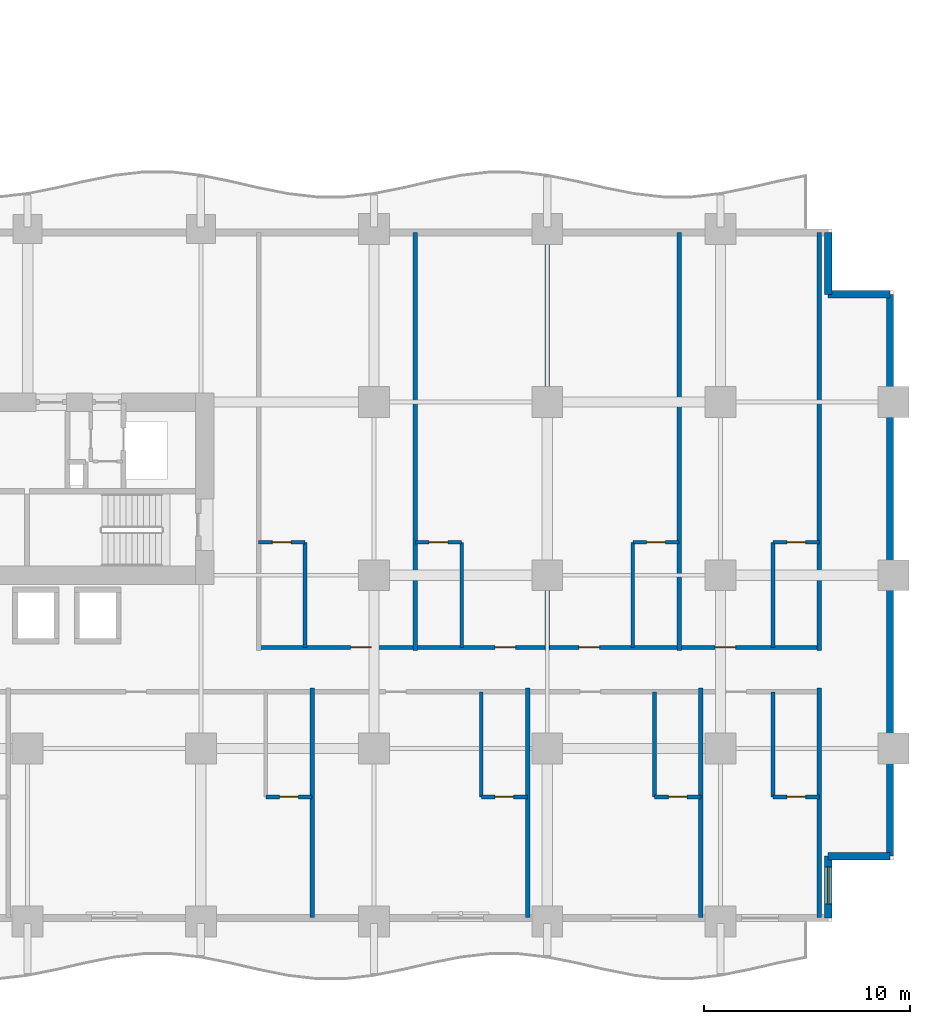
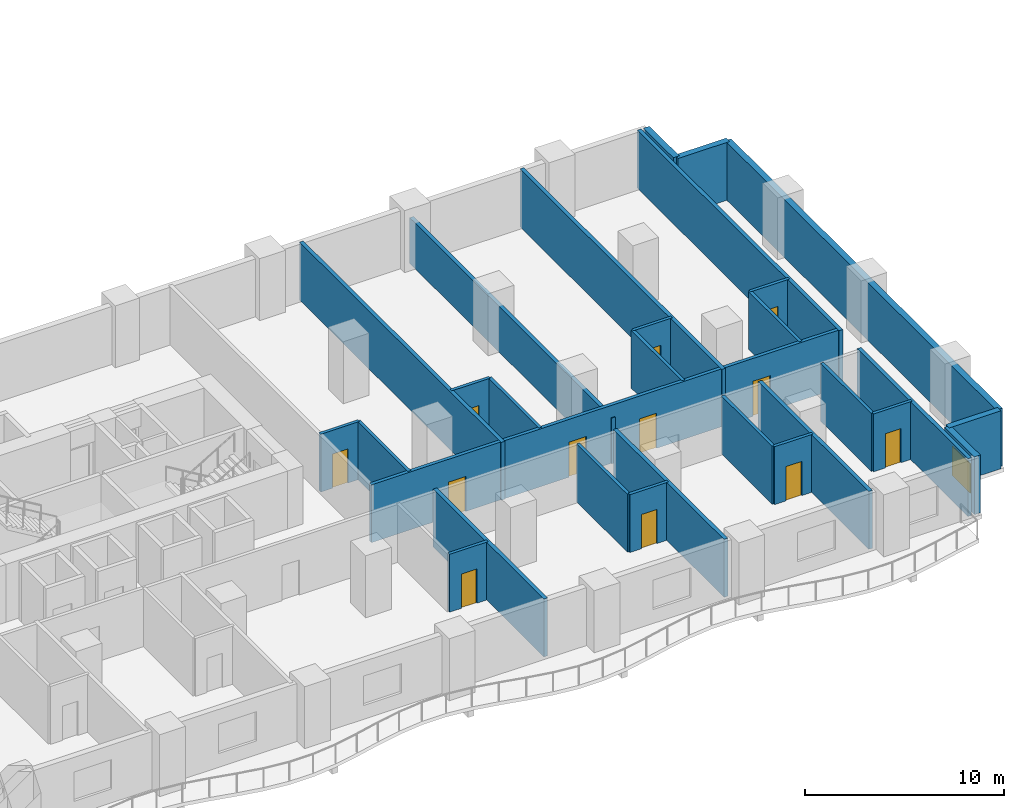
# One storey, part 13 of 20: 29 walls, 12 doors, 1 window, 13 openings.
"""IFC4 building model written with IfcOpenShell, lengths in metres."""

import ifcopenshell
import ifcopenshell.guid

model = None  # the IFC model being written
_history = None  # IfcOwnerHistory: only IFC2X3 demands one
_inside = {}  # id of a spatial element -> (the spatial element, [elements in it])
_under = {}  # id of a project, library or spatial element -> (it, [spatial elements below it])
_declared = {}  # id of a project -> (the project, [libraries it declares])
_typed = {}  # id of a type object -> (the type object, [elements of that type])
_made_of = {}  # id of a material, layer set ... -> (it, [elements and type objects made of it])


def new_model(schema):
    """Start an empty IFC model of exactly this schema.

    Asked for "IFC4X3", IfcOpenShell would pick the latest addendum, in which some entities
    have other attributes; the version numbers below select the first issue.
    IFC2X3 requires an IfcOwnerHistory on every rooted entity: one is made here for all.
    """
    global model, _history
    if schema == "IFC4X3":
        model = ifcopenshell.file(schema_version=(4, 3, 0, 0))
    else:
        model = ifcopenshell.file(schema=schema)
    _inside.clear()
    _under.clear()
    _declared.clear()
    _typed.clear()
    _made_of.clear()
    _history = None
    if model.schema == "IFC2X3":
        org = make("IfcOrganization", Name="unknown")
        user = make(
            "IfcPersonAndOrganization",
            ThePerson=make("IfcPerson", FamilyName="unknown"),
            TheOrganization=org,
        )
        app = make(
            "IfcApplication",
            ApplicationDeveloper=org,
            Version="unknown",
            ApplicationFullName="unknown",
            ApplicationIdentifier="unknown",
        )
        _history = make(
            "IfcOwnerHistory",
            OwningUser=user,
            OwningApplication=app,
            ChangeAction="ADDED",
            CreationDate=0,
        )
    return model


def make(cls, **values):
    """One entity of the class cls with the attributes given. An attribute that is None is left unset."""
    return model.create_entity(
        cls, **{name: value for name, value in values.items() if value is not None}
    )


def rooted(cls, **values):
    """An entity with a GlobalId (a new one), such as an element, a storey or a relation."""
    return make(cls, GlobalId=ifcopenshell.guid.new(), OwnerHistory=_history, **values)


def si_unit(unit_type, name, prefix=None):
    """IfcSIUnit, for example si_unit("LENGTHUNIT", "METRE", prefix="MILLI")."""
    return make("IfcSIUnit", UnitType=unit_type, Prefix=prefix, Name=name)


def assignment(units):
    """IfcUnitAssignment: the units of a project."""
    return None if units is None else make("IfcUnitAssignment", Units=units)


def point(xyz):
    """IfcCartesianPoint."""
    return None if xyz is None else make("IfcCartesianPoint", Coordinates=xyz)


def direction(xyz):
    """IfcDirection."""
    return None if xyz is None else make("IfcDirection", DirectionRatios=xyz)


def frame(location, z_axis=None, x_axis=None):
    """IfcAxis2Placement3D, a coordinate frame: its origin and axes. An axis left out is left unset."""
    return make(
        "IfcAxis2Placement3D",
        Location=point(location),
        Axis=direction(z_axis),
        RefDirection=direction(x_axis),
    )


def frame_2d(location, x_axis=None):
    """IfcAxis2Placement2D, a coordinate frame in the plane: its origin and x axis."""
    return make(
        "IfcAxis2Placement2D", Location=point(location), RefDirection=direction(x_axis)
    )


def origin():
    """The frame at (0, 0, 0) with its axes left unset."""
    return frame((0.0, 0.0, 0.0))


def place(relative_to, where):
    """IfcLocalPlacement: puts the frame where relative to a parent placement (None: the world)."""
    return make(
        "IfcLocalPlacement", PlacementRelTo=relative_to, RelativePlacement=where
    )


def context(
    kind, dimensions, precision=None, world=None, true_north=None, identifier=None
):
    """IfcGeometricRepresentationContext, for example the 3D "Model" context."""
    return make(
        "IfcGeometricRepresentationContext",
        ContextIdentifier=identifier,
        ContextType=kind,
        CoordinateSpaceDimension=dimensions,
        Precision=precision,
        WorldCoordinateSystem=world,
        TrueNorth=true_north,
    )


def subcontext(parent, identifier, kind, view, scale=None):
    """IfcGeometricRepresentationSubContext, for example "Body" below "Model"."""
    return make(
        "IfcGeometricRepresentationSubContext",
        ContextIdentifier=identifier,
        ContextType=kind,
        ParentContext=parent,
        TargetScale=scale,
        TargetView=view,
    )


def project(units=None, contexts=None):
    """IfcProject with its units and contexts."""
    return rooted(
        "IfcProject",
        Name="project",
        RepresentationContexts=contexts,
        UnitsInContext=assignment(units),
    )


def spatial(cls, under=None, at=None, **own):
    """A site, building, storey or space (cls), placed at a placement, below another one or the project."""
    s = rooted(cls, ObjectPlacement=at, **own)
    if under is not None:
        _under.setdefault(under.id(), (under, []))[1].append(s)
    return s


def profile(cls, at=None, kind="AREA", **sizes):
    """A parametric profile (cls). Its sizes go by their IFC names, for example OverallWidth=200.0."""
    return make(cls, ProfileType=kind, Position=at, **sizes)


def rectangle(**sizes):
    """IfcRectangleProfileDef."""
    return profile("IfcRectangleProfileDef", **sizes)


def extrude(swept, where, along, depth):
    """IfcExtrudedAreaSolid: the profile swept, set in the frame where, extruded along a direction by depth."""
    return make(
        "IfcExtrudedAreaSolid",
        SweptArea=swept,
        Position=where,
        ExtrudedDirection=direction(along),
        Depth=depth,
    )


def shape(context_of_items, identifier, shape_type, items):
    """IfcShapeRepresentation: the items that make up one representation, for example the "Body"."""
    return make(
        "IfcShapeRepresentation",
        ContextOfItems=context_of_items,
        RepresentationIdentifier=identifier,
        RepresentationType=shape_type,
        Items=items,
    )


def material(Name=None, Category=None):
    """IfcMaterial."""
    return make("IfcMaterial", Name=Name, Category=Category)


def layer(
    of_material, thickness, ventilated=None, Name=None, Category=None, Priority=None
):
    """IfcMaterialLayer: one layer of a wall or slab, of a material (None: an air gap)."""
    return make(
        "IfcMaterialLayer",
        Material=of_material,
        LayerThickness=thickness,
        IsVentilated=ventilated,
        Name=Name,
        Category=Category,
        Priority=Priority,
    )


def layer_set(layers, Name=None):
    """IfcMaterialLayerSet."""
    return make("IfcMaterialLayerSet", MaterialLayers=layers, LayerSetName=Name)


def made_of(thing, what):
    """Note that an element or type object is made of a material, layer set ...; save() writes the relation."""
    if what is not None:
        _made_of.setdefault(what.id(), (what, []))[1].append(thing)
    return thing


def type_object(cls, material=None, **own):
    """A type object (cls), such as IfcWallType, which elements share."""
    return made_of(rooted(cls, **own), material)


def element(
    cls,
    number,
    at=None,
    inside=None,
    cuts=None,
    type_object=None,
    material=None,
    context=None,
    identifier="Body",
    shape_type=None,
    held_by="IfcProductDefinitionShape",
    body=None,
    shapes=None,
    **own,
):
    """One element of the class cls, such as IfcWall. Its Tag is "e" and its number.

    at: its placement. inside: the storey or other place that contains it. cuts: it is an
    opening in that element (IfcRelVoidsElement). A single representation is given by context,
    identifier, shape_type and body (its items); several are given by shapes. held_by: the class
    of the entity that holds the representations. save() writes the other relations.
    """
    e = rooted(cls, Tag="e%d" % number, ObjectPlacement=at, **own)
    if body is not None:
        shapes = [shape(context, identifier, shape_type, body)]
    if shapes is not None:
        e.Representation = make(held_by, Representations=shapes)
    if inside is not None:
        _inside.setdefault(inside.id(), (inside, []))[1].append(e)
    if cuts is not None:
        rooted(
            "IfcRelVoidsElement", RelatingBuildingElement=cuts, RelatedOpeningElement=e
        )
    if type_object is not None:
        _typed.setdefault(type_object.id(), (type_object, []))[1].append(e)
    return made_of(e, material)


def fill(opening, filler):
    """IfcRelFillsElement: the door or window that sits in an opening."""
    return rooted(
        "IfcRelFillsElement",
        RelatingOpeningElement=opening,
        RelatedBuildingElement=filler,
    )


def aggregate(whole, parts):
    """IfcRelAggregates: a whole, such as a stair, and the parts it consists of."""
    return rooted("IfcRelAggregates", RelatingObject=whole, RelatedObjects=parts)


def save(model, path):
    """Write the relations noted so far, then the file.

    IfcRelAggregates (storeys below a building ...), IfcRelContainedInSpatialStructure (elements
    in a storey), IfcRelDefinesByType, IfcRelAssociatesMaterial and IfcRelDeclares: one each for
    every whole, place, type object, material and project.
    """
    for whole, parts in _under.values():
        aggregate(whole, parts)
    for where, things in _inside.values():
        rooted(
            "IfcRelContainedInSpatialStructure",
            RelatedElements=things,
            RelatingStructure=where,
        )
    for kind, things in _typed.values():
        rooted("IfcRelDefinesByType", RelatedObjects=things, RelatingType=kind)
    for what, things in _made_of.values():
        rooted("IfcRelAssociatesMaterial", RelatedObjects=things, RelatingMaterial=what)
    for by, libraries in _declared.values():
        rooted("IfcRelDeclares", RelatingContext=by, RelatedDefinitions=libraries)
    model.write(path)


model = new_model("IFC4")

# Units and contexts
model_context = context("Model", 3, precision=1e-05, world=origin(), true_north=direction((0.0, 1.0)))
body_context = subcontext(model_context, "Body", "Model", "MODEL_VIEW")
ifc_project = project(units=[si_unit("LENGTHUNIT", "METRE"), si_unit("AREAUNIT", "SQUARE_METRE"), si_unit("VOLUMEUNIT", "CUBIC_METRE"), si_unit("PLANEANGLEUNIT", "RADIAN"), si_unit("MASSUNIT", "GRAM", prefix="KILO")], contexts=[model_context])

# Site, building, storey
site_placement = place(None, origin())
site = spatial("IfcSite", under=ifc_project, at=site_placement, CompositionType="ELEMENT")
building_placement = place(site_placement, origin())
building = spatial("IfcBuilding", under=site, at=building_placement, Name="Koriwani Terraces Tower", CompositionType="ELEMENT")
storey_placement = place(building_placement, frame((0.0, 0.0, 35.800048828125)))
storey = spatial("IfcBuildingStorey", under=building, at=storey_placement, Name="L07", CompositionType="ELEMENT", Elevation=35.800048828125)

# Wall, openings, doors
ifc_material_1 = material(Name="Autoclaved Cellular Concrete Blockwork", Category="masonry")
ifc_layer_1 = layer(ifc_material_1, 0.199951171875, Name="Autoclaved Cellular Concrete Blockwork")
ifc_layer_set_1 = layer_set([ifc_layer_1], Name="Autoclaved Cellular Concrete Blockwork")
wall_type_1 = type_object("IfcWallType", Name="WALL_CORRIDOR_200", PredefinedType="PARTITIONING", material=ifc_layer_set_1)
wall_1_placement = place(storey_placement, frame((61.60009765625, 13.300048828125, 0.0), z_axis=(0.0, 0.0, 1.0), x_axis=(1.0, 0.0, 0.0)))
wall_1 = element("IfcWall", 1, at=wall_1_placement, inside=storey, type_object=wall_type_1, Name="L07 Interior Wall WCOR-L07-SE-0", PredefinedType="PARTITIONING", context=body_context, shape_type="SweptSolid", body=[
    extrude(rectangle(XDim=27.199951171875, YDim=0.199951171875, at=frame_2d((13.60009765625, 0.0))), origin(), (0.0, 0.0, 1.0), 3.550048828125),
])
opening_1_placement = place(wall_1_placement, frame((4.465087890625, 0.0, 0.0)))
opening_1 = element("IfcOpeningElement", 2, at=opening_1_placement, cuts=wall_1, Name="Opening D-05", PredefinedType="OPENING", context=body_context, shape_type="SweptSolid", body=[
    extrude(rectangle(XDim=1.0, YDim=2.14990234375, at=frame_2d((0.5, 1.074951171875))), frame((0.0, 0.10986328125, 0.0), z_axis=(0.0, -1.0, 0.0), x_axis=(1.0, 0.0, 0.0)), (0.0, 0.0, 1.0), 0.219970703125),
])
opening_2_placement = place(wall_1_placement, frame((11.465087890625, 0.0, 0.0)))
opening_2 = element("IfcOpeningElement", 3, at=opening_2_placement, cuts=wall_1, Name="Opening D-05", PredefinedType="OPENING", context=body_context, shape_type="SweptSolid", body=[
    extrude(rectangle(XDim=1.0, YDim=2.14990234375, at=frame_2d((0.5, 1.074951171875))), frame((0.0, 0.10986328125, 0.0), z_axis=(0.0, -1.0, 0.0), x_axis=(1.0, 0.0, 0.0)), (0.0, 0.0, 1.0), 0.219970703125),
])
opening_3_placement = place(wall_1_placement, frame((15.534912109375, 0.0, 0.0)))
opening_3 = element("IfcOpeningElement", 4, at=opening_3_placement, cuts=wall_1, Name="Opening D-05", PredefinedType="OPENING", context=body_context, shape_type="SweptSolid", body=[
    extrude(rectangle(XDim=1.0, YDim=2.14990234375, at=frame_2d((0.5, 1.074951171875))), frame((0.0, 0.10986328125, 0.0), z_axis=(0.0, -1.0, 0.0), x_axis=(1.0, 0.0, 0.0)), (0.0, 0.0, 1.0), 0.219970703125),
])
opening_4_placement = place(wall_1_placement, frame((22.135009765625, 0.0, 0.0)))
opening_4 = element("IfcOpeningElement", 5, at=opening_4_placement, cuts=wall_1, Name="Opening D-05", PredefinedType="OPENING", context=body_context, shape_type="SweptSolid", body=[
    extrude(rectangle(XDim=1.0, YDim=2.14990234375, at=frame_2d((0.5, 1.074951171875))), frame((0.0, 0.10986328125, 0.0), z_axis=(0.0, -1.0, 0.0), x_axis=(1.0, 0.0, 0.0)), (0.0, 0.0, 1.0), 0.219970703125),
])
ifc_material_2 = material(Name="Architectural Oak Fire Door", Category="wood")
door_type_1 = type_object("IfcDoorType", Name="DOOR_SUITE_ENTRY_1000X2150", OperationType="NOTDEFINED", PredefinedType="DOOR", material=ifc_material_2)
door_1_placement = place(opening_1_placement, origin())
door_1 = element("IfcDoor", 6, at=door_1_placement, inside=storey, type_object=door_type_1, Name="Luxury Hotel Suite 07SE1 Entrance Door", OperationType="SINGLE_SWING_LEFT", OverallHeight=2.14990234375, OverallWidth=1.0, PredefinedType="DOOR", context=body_context, shape_type="SweptSolid", body=[
    extrude(rectangle(XDim=1.0, YDim=2.14990234375, at=frame_2d((0.5, 1.074951171875))), frame((0.0, 0.02490234375, 0.0), z_axis=(0.0, -1.0, 0.0), x_axis=(1.0, 0.0, 0.0)), (0.0, 0.0, 1.0), 0.050048828125),
])
fill(opening_1, door_1)
door_2_placement = place(opening_2_placement, origin())
door_2 = element("IfcDoor", 7, at=door_2_placement, inside=storey, type_object=door_type_1, Name="Luxury Hotel Suite 07SE2 Entrance Door", OperationType="SINGLE_SWING_LEFT", OverallHeight=2.14990234375, OverallWidth=1.0, PredefinedType="DOOR", context=body_context, shape_type="SweptSolid", body=[
    extrude(rectangle(XDim=1.0, YDim=2.14990234375, at=frame_2d((0.5, 1.074951171875))), frame((0.0, 0.02490234375, 0.0), z_axis=(0.0, -1.0, 0.0), x_axis=(1.0, 0.0, 0.0)), (0.0, 0.0, 1.0), 0.050048828125),
])
fill(opening_2, door_2)
door_3_placement = place(opening_3_placement, origin())
door_3 = element("IfcDoor", 8, at=door_3_placement, inside=storey, type_object=door_type_1, Name="Luxury Hotel Suite 07SE3 Entrance Door", OperationType="SINGLE_SWING_LEFT", OverallHeight=2.14990234375, OverallWidth=1.0, PredefinedType="DOOR", context=body_context, shape_type="SweptSolid", body=[
    extrude(rectangle(XDim=1.0, YDim=2.14990234375, at=frame_2d((0.5, 1.074951171875))), frame((0.0, 0.02490234375, 0.0), z_axis=(0.0, -1.0, 0.0), x_axis=(1.0, 0.0, 0.0)), (0.0, 0.0, 1.0), 0.050048828125),
])
fill(opening_3, door_3)
door_4_placement = place(opening_4_placement, origin())
door_4 = element("IfcDoor", 9, at=door_4_placement, inside=storey, type_object=door_type_1, Name="Luxury Hotel Suite 07SE4 Entrance Door", OperationType="SINGLE_SWING_LEFT", OverallHeight=2.14990234375, OverallWidth=1.0, PredefinedType="DOOR", context=body_context, shape_type="SweptSolid", body=[
    extrude(rectangle(XDim=1.0, YDim=2.14990234375, at=frame_2d((0.5, 1.074951171875))), frame((0.0, 0.02490234375, 0.0), z_axis=(0.0, -1.0, 0.0), x_axis=(1.0, 0.0, 0.0)), (0.0, 0.0, 1.0), 0.050048828125),
])
fill(opening_4, door_4)

# Walls
ifc_layer_2 = layer(ifc_material_1, 0.219970703125, Name="Autoclaved Cellular Concrete Blockwork")
ifc_layer_set_2 = layer_set([ifc_layer_2], Name="Autoclaved Cellular Concrete Blockwork")
wall_type_2 = type_object("IfcWallType", Name="WALL_DEMISING_220", PredefinedType="PARTITIONING", material=ifc_layer_set_2)
for number, where, z_axis, x_axis, name in (
    (10, (64.199951171875, 0.199951171875, 0.0), (0.0, 0.0, 1.0), (0.0, 1.0, 0.0), "L07 Interior Wall WDEM-L07-SW-5"),
    (11, (74.64990234375, 0.199951171875, 0.0), (0.0, 0.0, 1.0), (0.0, 1.0, 0.0), "L07 Interior Wall WDEM-L07-SW-6"),
    (12, (83.050048828125, 0.199951171875, 0.0), (0.0, 0.0, 1.0), (0.0, 1.0, 0.0), "L07 Interior Wall WDEM-L07-SW-7"),
    (13, (88.800048828125, 0.199951171875, 0.0), (0.0, 0.0, 1.0), (0.0, 1.0, 0.0), "L07 Interior Wall WDEME-L07-SW"),
):
    element("IfcWall", number, at=place(storey_placement, frame(where, z_axis=z_axis, x_axis=x_axis)), inside=storey, type_object=wall_type_2, Name=name, PredefinedType="PARTITIONING", context=body_context, shape_type="SweptSolid", body=[
        extrude(rectangle(XDim=11.130126953125, YDim=0.219970703125, at=frame_2d((5.56494140625, 0.0))), origin(), (0.0, 0.0, 1.0), 3.550048828125),
    ])
wall_2_placement = place(storey_placement, frame((69.199951171875, 13.14990234375, 0.0), z_axis=(0.0, 0.0, 1.0), x_axis=(0.0, 1.0, 0.0)))
element("IfcWall", 14, at=wall_2_placement, inside=storey, type_object=wall_type_2, Name="L07 Interior Wall WDEM-L07-SE-1", PredefinedType="PARTITIONING", context=body_context, shape_type="SweptSolid", body=[
    extrude(rectangle(XDim=20.280029296875, YDim=0.219970703125, at=frame_2d((10.14013671875, 0.0))), origin(), (0.0, 0.0, 1.0), 3.550048828125),
])
wall_3_placement = place(storey_placement, frame((75.60009765625, 13.14990234375, 0.0), z_axis=(0.0, 0.0, 1.0), x_axis=(0.0, 1.0, 0.0)))
element("IfcWall", 15, at=wall_3_placement, inside=storey, type_object=wall_type_2, Name="L07 Interior Wall WDEM-L07-SE-2", PredefinedType="PARTITIONING", context=body_context, shape_type="SweptSolid", body=[
    extrude(rectangle(XDim=20.280029296875, YDim=0.219970703125, at=frame_2d((10.14013671875, 0.0))), origin(), (0.0, 0.0, 1.0), 2.800048828125),
])
for number, where, z_axis, x_axis, name in (
    (16, (82.0, 13.14990234375, 0.0), (0.0, 0.0, 1.0), (0.0, 1.0, 0.0), "L07 Interior Wall WDEM-L07-SE-3"),
    (17, (88.800048828125, 13.14990234375, 0.0), (0.0, 0.0, 1.0), (0.0, 1.0, 0.0), "L07 Interior Wall WDEME-L07-SE"),
):
    element("IfcWall", number, at=place(storey_placement, frame(where, z_axis=z_axis, x_axis=x_axis)), inside=storey, type_object=wall_type_2, Name=name, PredefinedType="PARTITIONING", context=body_context, shape_type="SweptSolid", body=[
        extrude(rectangle(XDim=20.280029296875, YDim=0.219970703125, at=frame_2d((10.14013671875, 0.0))), origin(), (0.0, 0.0, 1.0), 3.550048828125),
    ])
ifc_material_3 = material(Name="Concrete C50/60", Category="concrete")
ifc_layer_3 = layer(ifc_material_3, 0.35009765625, Name="Concrete C50/60")
ifc_layer_set_3 = layer_set([ifc_layer_3], Name="Concrete C50/60")
wall_type_3 = type_object("IfcWallType", Name="WALL_EXT_BRUTALIST_350", PredefinedType="STANDARD", material=ifc_layer_set_3)
for number, where, z_axis, x_axis, name in (
    (18, (89.22509765625, 33.425048828125, 0.0), (0.0, 0.0, 1.0), (0.0, -1.0, 0.0), "L07 Fair-Faced Brutalist Exterior Wall (N10)"),
    (19, (89.22509765625, 30.425048828125, 0.0), (0.0, 0.0, 1.0), (1.0, 0.0, 0.0), "L07 Fair-Faced Brutalist Exterior Wall (N11)"),
):
    element("IfcWall", number, at=place(storey_placement, frame(where, z_axis=z_axis, x_axis=x_axis)), inside=storey, type_object=wall_type_3, Name=name, PredefinedType="STANDARD", context=body_context, shape_type="SweptSolid", body=[
        extrude(rectangle(XDim=3.0, YDim=0.35009765625, at=frame_2d((1.5, 0.0))), origin(), (0.0, 0.0, 1.0), 3.550048828125),
    ])
wall_4_placement = place(storey_placement, frame((92.22509765625, 30.425048828125, 0.0), z_axis=(0.0, 0.0, 1.0), x_axis=(0.0, -1.0, 0.0)))
element("IfcWall", 20, at=wall_4_placement, inside=storey, type_object=wall_type_3, Name="L07 Fair-Faced Brutalist Exterior Wall (E_TIP)", PredefinedType="STANDARD", context=body_context, shape_type="SweptSolid", body=[
    extrude(rectangle(XDim=27.25, YDim=0.35009765625, at=frame_2d((13.625, 0.0))), origin(), (0.0, 0.0, 1.0), 3.550048828125),
])
wall_5_placement = place(storey_placement, frame((92.22509765625, 3.175048828125, 0.0), z_axis=(0.0, 0.0, 1.0), x_axis=(-1.0, 0.0, 0.0)))
element("IfcWall", 21, at=wall_5_placement, inside=storey, type_object=wall_type_3, Name="L07 Fair-Faced Brutalist Exterior Wall (N13)", PredefinedType="STANDARD", context=body_context, shape_type="SweptSolid", body=[
    extrude(rectangle(XDim=3.0, YDim=0.35009765625, at=frame_2d((1.5, 0.0))), origin(), (0.0, 0.0, 1.0), 3.550048828125),
])

# Wall, opening, window
wall_6_placement = place(storey_placement, frame((89.22509765625, 3.175048828125, 0.0), z_axis=(0.0, 0.0, 1.0), x_axis=(0.0, -1.0, 0.0)))
wall_6 = element("IfcWall", 22, at=wall_6_placement, inside=storey, type_object=wall_type_3, Name="L07 Fair-Faced Brutalist Exterior Wall (N14)", PredefinedType="STANDARD", context=body_context, shape_type="SweptSolid", body=[
    extrude(rectangle(XDim=3.0, YDim=0.35009765625, at=frame_2d((1.5, 0.0))), origin(), (0.0, 0.0, 1.0), 3.550048828125),
])
opening_5_placement = place(wall_6_placement, frame((0.5224609375, 0.0, 0.85009765625)))
opening_5 = element("IfcOpeningElement", 23, at=opening_5_placement, cuts=wall_6, Name="Opening W-04", PredefinedType="OPENING", context=body_context, shape_type="SweptSolid", body=[
    extrude(rectangle(XDim=1.800048828125, YDim=1.800048828125, at=frame_2d((0.89990234375, 0.89990234375))), frame((0.0, 0.18505859375, 0.0), z_axis=(0.0, -1.0, 0.0), x_axis=(1.0, 0.0, 0.0)), (0.0, 0.0, 1.0), 0.3701171875),
])
ifc_material_4 = material(Name="Tempered Laminated Low-E Glass", Category="glass")
window_type = type_object("IfcWindowType", Name="WIN_RES_BED_1800X1800", PartitioningType="DOUBLE_PANEL_VERTICAL", PredefinedType="WINDOW", material=ifc_material_4)
window_placement = place(opening_5_placement, origin())
window = element("IfcWindow", 24, at=window_placement, inside=storey, type_object=window_type, Name="L07 Exterior Window (N14-R71)", OverallHeight=1.800048828125, OverallWidth=1.800048828125, PartitioningType="SINGLE_PANEL", PredefinedType="WINDOW", context=body_context, shape_type="SweptSolid", body=[
    extrude(rectangle(XDim=1.800048828125, YDim=1.800048828125, at=frame_2d((0.89990234375, 0.89990234375))), frame((0.0, 0.030029296875, 0.0), z_axis=(0.0, -1.0, 0.0), x_axis=(1.0, 0.0, 0.0)), (0.0, 0.0, 1.0), 0.06005859375),
])
fill(opening_5, window)

# Wall, opening, door
ifc_material_5 = material(Name="Fire-Rated Acoustic Gypsum Partition", Category="masonry")
ifc_layer_4 = layer(ifc_material_5, 0.179931640625, Name="Fire-Rated Acoustic Gypsum Partition")
ifc_layer_set_4 = layer_set([ifc_layer_4], Name="Fire-Rated Acoustic Gypsum Partition")
wall_type_4 = type_object("IfcWallType", Name="WALL_PLUMBING_180", PredefinedType="PLUMBINGWALL", material=ifc_layer_set_4)
wall_7_placement = place(storey_placement, frame((61.949951171875, 6.050048828125, 0.0), z_axis=(0.0, 0.0, 1.0), x_axis=(1.0, 0.0, 0.0)))
wall_7 = element("IfcWall", 25, at=wall_7_placement, inside=storey, type_object=wall_type_4, Name="L07 Interior Wall WBTH1-L07-SW-4", PredefinedType="PLUMBINGWALL", context=body_context, shape_type="SweptSolid", body=[
    extrude(rectangle(XDim=2.25, YDim=0.179931640625, at=frame_2d((1.125, 0.0))), origin(), (0.0, 0.0, 1.0), 3.550048828125),
])
opening_6_placement = place(wall_7_placement, frame((0.675048828125, 0.0, 0.0)))
opening_6 = element("IfcOpeningElement", 26, at=opening_6_placement, cuts=wall_7, Name="Opening D-07", PredefinedType="OPENING", context=body_context, shape_type="SweptSolid", body=[
    extrude(rectangle(XDim=0.89990234375, YDim=2.10009765625, at=frame_2d((0.449951171875, 1.050048828125))), frame((0.0, 0.10009765625, 0.0), z_axis=(0.0, -1.0, 0.0), x_axis=(1.0, 0.0, 0.0)), (0.0, 0.0, 1.0), 0.199951171875),
])
door_type_2 = type_object("IfcDoorType", Name="DOOR_BATH_INT_900X2100", OperationType="NOTDEFINED", PredefinedType="DOOR", material=ifc_material_2)
door_5_placement = place(opening_6_placement, origin())
door_5 = element("IfcDoor", 27, at=door_5_placement, inside=storey, type_object=door_type_2, Name="En-Suite Bathroom 07SW5 Door", OperationType="SINGLE_SWING_RIGHT", OverallHeight=2.10009765625, OverallWidth=0.89990234375, PredefinedType="DOOR", context=body_context, shape_type="SweptSolid", body=[
    extrude(rectangle(XDim=0.89990234375, YDim=2.10009765625, at=frame_2d((0.449951171875, 1.050048828125))), frame((0.0, 0.02490234375, 0.0), z_axis=(0.0, -1.0, 0.0), x_axis=(1.0, 0.0, 0.0)), (0.0, 0.0, 1.0), 0.050048828125),
])
fill(opening_6, door_5)

wall_8_placement = place(storey_placement, frame((72.39990234375, 6.050048828125, 0.0), z_axis=(0.0, 0.0, 1.0), x_axis=(1.0, 0.0, 0.0)))
wall_8 = element("IfcWall", 28, at=wall_8_placement, inside=storey, type_object=wall_type_4, Name="L07 Interior Wall WBTH1-L07-SW-5", PredefinedType="PLUMBINGWALL", context=body_context, shape_type="SweptSolid", body=[
    extrude(rectangle(XDim=2.25, YDim=0.179931640625, at=frame_2d((1.125, 0.0))), origin(), (0.0, 0.0, 1.0), 3.550048828125),
])
opening_7_placement = place(wall_8_placement, frame((0.675048828125, 0.0, 0.0)))
opening_7 = element("IfcOpeningElement", 29, at=opening_7_placement, cuts=wall_8, Name="Opening D-07", PredefinedType="OPENING", context=body_context, shape_type="SweptSolid", body=[
    extrude(rectangle(XDim=0.89990234375, YDim=2.10009765625, at=frame_2d((0.449951171875, 1.050048828125))), frame((0.0, 0.10009765625, 0.0), z_axis=(0.0, -1.0, 0.0), x_axis=(1.0, 0.0, 0.0)), (0.0, 0.0, 1.0), 0.199951171875),
])
door_6_placement = place(opening_7_placement, origin())
door_6 = element("IfcDoor", 30, at=door_6_placement, inside=storey, type_object=door_type_2, Name="En-Suite Bathroom 07SW6 Door", OperationType="SINGLE_SWING_RIGHT", OverallHeight=2.10009765625, OverallWidth=0.89990234375, PredefinedType="DOOR", context=body_context, shape_type="SweptSolid", body=[
    extrude(rectangle(XDim=0.89990234375, YDim=2.10009765625, at=frame_2d((0.449951171875, 1.050048828125))), frame((0.0, 0.02490234375, 0.0), z_axis=(0.0, -1.0, 0.0), x_axis=(1.0, 0.0, 0.0)), (0.0, 0.0, 1.0), 0.050048828125),
])
fill(opening_7, door_6)

# Wall
wall_9_placement = place(storey_placement, frame((72.39990234375, 6.050048828125, 0.0), z_axis=(0.0, 0.0, 1.0), x_axis=(0.0, 1.0, 0.0)))
element("IfcWall", 31, at=wall_9_placement, inside=storey, type_object=wall_type_4, Name="L07 Interior Wall WBTH2-L07-SW-5", PredefinedType="PLUMBINGWALL", context=body_context, shape_type="SweptSolid", body=[
    extrude(rectangle(XDim=5.099853515625, YDim=0.179931640625, at=frame_2d((2.5498046875, 0.0))), origin(), (0.0, 0.0, 1.0), 3.550048828125),
])

# Wall, opening, door
wall_10_placement = place(storey_placement, frame((80.800048828125, 6.050048828125, 0.0), z_axis=(0.0, 0.0, 1.0), x_axis=(1.0, 0.0, 0.0)))
wall_10 = element("IfcWall", 32, at=wall_10_placement, inside=storey, type_object=wall_type_4, Name="L07 Interior Wall WBTH1-L07-SW-6", PredefinedType="PLUMBINGWALL", context=body_context, shape_type="SweptSolid", body=[
    extrude(rectangle(XDim=2.25, YDim=0.179931640625, at=frame_2d((1.125, 0.0))), origin(), (0.0, 0.0, 1.0), 3.550048828125),
])
opening_8_placement = place(wall_10_placement, frame((0.675048828125, 0.0, 0.0)))
opening_8 = element("IfcOpeningElement", 33, at=opening_8_placement, cuts=wall_10, Name="Opening D-07", PredefinedType="OPENING", context=body_context, shape_type="SweptSolid", body=[
    extrude(rectangle(XDim=0.89990234375, YDim=2.10009765625, at=frame_2d((0.449951171875, 1.050048828125))), frame((0.0, 0.10009765625, 0.0), z_axis=(0.0, -1.0, 0.0), x_axis=(1.0, 0.0, 0.0)), (0.0, 0.0, 1.0), 0.199951171875),
])
door_7_placement = place(opening_8_placement, origin())
door_7 = element("IfcDoor", 34, at=door_7_placement, inside=storey, type_object=door_type_2, Name="En-Suite Bathroom 07SW7 Door", OperationType="SINGLE_SWING_RIGHT", OverallHeight=2.10009765625, OverallWidth=0.89990234375, PredefinedType="DOOR", context=body_context, shape_type="SweptSolid", body=[
    extrude(rectangle(XDim=0.89990234375, YDim=2.10009765625, at=frame_2d((0.449951171875, 1.050048828125))), frame((0.0, 0.02490234375, 0.0), z_axis=(0.0, -1.0, 0.0), x_axis=(1.0, 0.0, 0.0)), (0.0, 0.0, 1.0), 0.050048828125),
])
fill(opening_8, door_7)

# Wall
wall_11_placement = place(storey_placement, frame((80.800048828125, 6.050048828125, 0.0), z_axis=(0.0, 0.0, 1.0), x_axis=(0.0, 1.0, 0.0)))
element("IfcWall", 35, at=wall_11_placement, inside=storey, type_object=wall_type_4, Name="L07 Interior Wall WBTH2-L07-SW-6", PredefinedType="PLUMBINGWALL", context=body_context, shape_type="SweptSolid", body=[
    extrude(rectangle(XDim=5.099853515625, YDim=0.179931640625, at=frame_2d((2.5498046875, 0.0))), origin(), (0.0, 0.0, 1.0), 3.550048828125),
])

# Wall, opening, door
wall_12_placement = place(storey_placement, frame((86.550048828125, 6.050048828125, 0.0), z_axis=(0.0, 0.0, 1.0), x_axis=(1.0, 0.0, 0.0)))
wall_12 = element("IfcWall", 36, at=wall_12_placement, inside=storey, type_object=wall_type_4, Name="L07 Interior Wall WBTH1-L07-SW-7", PredefinedType="PLUMBINGWALL", context=body_context, shape_type="SweptSolid", body=[
    extrude(rectangle(XDim=2.25, YDim=0.179931640625, at=frame_2d((1.125, 0.0))), origin(), (0.0, 0.0, 1.0), 3.550048828125),
])
opening_9_placement = place(wall_12_placement, frame((0.675048828125, 0.0, 0.0)))
opening_9 = element("IfcOpeningElement", 37, at=opening_9_placement, cuts=wall_12, Name="Opening D-07", PredefinedType="OPENING", context=body_context, shape_type="SweptSolid", body=[
    extrude(rectangle(XDim=0.89990234375, YDim=2.10009765625, at=frame_2d((0.449951171875, 1.050048828125))), frame((0.0, 0.10009765625, 0.0), z_axis=(0.0, -1.0, 0.0), x_axis=(1.0, 0.0, 0.0)), (0.0, 0.0, 1.0), 0.199951171875),
])
door_8_placement = place(opening_9_placement, origin())
door_8 = element("IfcDoor", 38, at=door_8_placement, inside=storey, type_object=door_type_2, Name="En-Suite Bathroom 07SW8 Door", OperationType="SINGLE_SWING_RIGHT", OverallHeight=2.10009765625, OverallWidth=0.89990234375, PredefinedType="DOOR", context=body_context, shape_type="SweptSolid", body=[
    extrude(rectangle(XDim=0.89990234375, YDim=2.10009765625, at=frame_2d((0.449951171875, 1.050048828125))), frame((0.0, 0.02490234375, 0.0), z_axis=(0.0, -1.0, 0.0), x_axis=(1.0, 0.0, 0.0)), (0.0, 0.0, 1.0), 0.050048828125),
])
fill(opening_9, door_8)

# Wall
wall_13_placement = place(storey_placement, frame((86.550048828125, 6.050048828125, 0.0), z_axis=(0.0, 0.0, 1.0), x_axis=(0.0, 1.0, 0.0)))
element("IfcWall", 39, at=wall_13_placement, inside=storey, type_object=wall_type_4, Name="L07 Interior Wall WBTH2-L07-SW-7", PredefinedType="PLUMBINGWALL", context=body_context, shape_type="SweptSolid", body=[
    extrude(rectangle(XDim=5.099853515625, YDim=0.179931640625, at=frame_2d((2.5498046875, 0.0))), origin(), (0.0, 0.0, 1.0), 3.550048828125),
])

# Wall, opening, door
wall_14_placement = place(storey_placement, frame((61.60009765625, 18.39990234375, 0.0), z_axis=(0.0, 0.0, 1.0), x_axis=(1.0, 0.0, 0.0)))
wall_14 = element("IfcWall", 40, at=wall_14_placement, inside=storey, type_object=wall_type_4, Name="L07 Interior Wall WBTH1-L07-SE-0", PredefinedType="PLUMBINGWALL", context=body_context, shape_type="SweptSolid", body=[
    extrude(rectangle(XDim=2.25, YDim=0.179931640625, at=frame_2d((1.125, 0.0))), origin(), (0.0, 0.0, 1.0), 3.550048828125),
])
opening_10_placement = place(wall_14_placement, frame((0.675048828125, 0.0, 0.0)))
opening_10 = element("IfcOpeningElement", 41, at=opening_10_placement, cuts=wall_14, Name="Opening D-07", PredefinedType="OPENING", context=body_context, shape_type="SweptSolid", body=[
    extrude(rectangle(XDim=0.89990234375, YDim=2.10009765625, at=frame_2d((0.449951171875, 1.050048828125))), frame((0.0, 0.10009765625, 0.0), z_axis=(0.0, -1.0, 0.0), x_axis=(1.0, 0.0, 0.0)), (0.0, 0.0, 1.0), 0.199951171875),
])
door_9_placement = place(opening_10_placement, origin())
door_9 = element("IfcDoor", 42, at=door_9_placement, inside=storey, type_object=door_type_2, Name="En-Suite Bathroom 07SE1 Door", OperationType="SINGLE_SWING_RIGHT", OverallHeight=2.10009765625, OverallWidth=0.89990234375, PredefinedType="DOOR", context=body_context, shape_type="SweptSolid", body=[
    extrude(rectangle(XDim=0.89990234375, YDim=2.10009765625, at=frame_2d((0.449951171875, 1.050048828125))), frame((0.0, 0.02490234375, 0.0), z_axis=(0.0, -1.0, 0.0), x_axis=(1.0, 0.0, 0.0)), (0.0, 0.0, 1.0), 0.050048828125),
])
fill(opening_10, door_9)

# Wall
wall_15_placement = place(storey_placement, frame((63.85009765625, 13.300048828125, 0.0), z_axis=(0.0, 0.0, 1.0), x_axis=(0.0, 1.0, 0.0)))
element("IfcWall", 43, at=wall_15_placement, inside=storey, type_object=wall_type_4, Name="L07 Interior Wall WBTH2-L07-SE-0", PredefinedType="PLUMBINGWALL", context=body_context, shape_type="SweptSolid", body=[
    extrude(rectangle(XDim=5.099853515625, YDim=0.179931640625, at=frame_2d((2.5498046875, 0.0))), origin(), (0.0, 0.0, 1.0), 3.550048828125),
])

# Wall, opening, door
wall_16_placement = place(storey_placement, frame((69.199951171875, 18.39990234375, 0.0), z_axis=(0.0, 0.0, 1.0), x_axis=(1.0, 0.0, 0.0)))
wall_16 = element("IfcWall", 44, at=wall_16_placement, inside=storey, type_object=wall_type_4, Name="L07 Interior Wall WBTH1-L07-SE-1", PredefinedType="PLUMBINGWALL", context=body_context, shape_type="SweptSolid", body=[
    extrude(rectangle(XDim=2.25, YDim=0.179931640625, at=frame_2d((1.125, 0.0))), origin(), (0.0, 0.0, 1.0), 3.550048828125),
])
opening_11_placement = place(wall_16_placement, frame((0.675048828125, 0.0, 0.0)))
opening_11 = element("IfcOpeningElement", 45, at=opening_11_placement, cuts=wall_16, Name="Opening D-07", PredefinedType="OPENING", context=body_context, shape_type="SweptSolid", body=[
    extrude(rectangle(XDim=0.89990234375, YDim=2.10009765625, at=frame_2d((0.449951171875, 1.050048828125))), frame((0.0, 0.10009765625, 0.0), z_axis=(0.0, -1.0, 0.0), x_axis=(1.0, 0.0, 0.0)), (0.0, 0.0, 1.0), 0.199951171875),
])
door_10_placement = place(opening_11_placement, origin())
door_10 = element("IfcDoor", 46, at=door_10_placement, inside=storey, type_object=door_type_2, Name="En-Suite Bathroom 07SE2 Door", OperationType="SINGLE_SWING_RIGHT", OverallHeight=2.10009765625, OverallWidth=0.89990234375, PredefinedType="DOOR", context=body_context, shape_type="SweptSolid", body=[
    extrude(rectangle(XDim=0.89990234375, YDim=2.10009765625, at=frame_2d((0.449951171875, 1.050048828125))), frame((0.0, 0.02490234375, 0.0), z_axis=(0.0, -1.0, 0.0), x_axis=(1.0, 0.0, 0.0)), (0.0, 0.0, 1.0), 0.050048828125),
])
fill(opening_11, door_10)

# Wall
wall_17_placement = place(storey_placement, frame((71.449951171875, 13.300048828125, 0.0), z_axis=(0.0, 0.0, 1.0), x_axis=(0.0, 1.0, 0.0)))
element("IfcWall", 47, at=wall_17_placement, inside=storey, type_object=wall_type_4, Name="L07 Interior Wall WBTH2-L07-SE-1", PredefinedType="PLUMBINGWALL", context=body_context, shape_type="SweptSolid", body=[
    extrude(rectangle(XDim=5.099853515625, YDim=0.179931640625, at=frame_2d((2.5498046875, 0.0))), origin(), (0.0, 0.0, 1.0), 3.550048828125),
])

# Wall, opening, door
wall_18_placement = place(storey_placement, frame((79.75, 18.39990234375, 0.0), z_axis=(0.0, 0.0, 1.0), x_axis=(1.0, 0.0, 0.0)))
wall_18 = element("IfcWall", 48, at=wall_18_placement, inside=storey, type_object=wall_type_4, Name="L07 Interior Wall WBTH1-L07-SE-2", PredefinedType="PLUMBINGWALL", context=body_context, shape_type="SweptSolid", body=[
    extrude(rectangle(XDim=2.25, YDim=0.179931640625, at=frame_2d((1.125, 0.0))), origin(), (0.0, 0.0, 1.0), 3.550048828125),
])
opening_12_placement = place(wall_18_placement, frame((0.675048828125, 0.0, 0.0)))
opening_12 = element("IfcOpeningElement", 49, at=opening_12_placement, cuts=wall_18, Name="Opening D-07", PredefinedType="OPENING", context=body_context, shape_type="SweptSolid", body=[
    extrude(rectangle(XDim=0.89990234375, YDim=2.10009765625, at=frame_2d((0.449951171875, 1.050048828125))), frame((0.0, 0.10009765625, 0.0), z_axis=(0.0, -1.0, 0.0), x_axis=(1.0, 0.0, 0.0)), (0.0, 0.0, 1.0), 0.199951171875),
])
door_11_placement = place(opening_12_placement, origin())
door_11 = element("IfcDoor", 50, at=door_11_placement, inside=storey, type_object=door_type_2, Name="En-Suite Bathroom 07SE3 Door", OperationType="SINGLE_SWING_RIGHT", OverallHeight=2.10009765625, OverallWidth=0.89990234375, PredefinedType="DOOR", context=body_context, shape_type="SweptSolid", body=[
    extrude(rectangle(XDim=0.89990234375, YDim=2.10009765625, at=frame_2d((0.449951171875, 1.050048828125))), frame((0.0, 0.02490234375, 0.0), z_axis=(0.0, -1.0, 0.0), x_axis=(1.0, 0.0, 0.0)), (0.0, 0.0, 1.0), 0.050048828125),
])
fill(opening_12, door_11)

# Wall
wall_19_placement = place(storey_placement, frame((79.75, 13.300048828125, 0.0), z_axis=(0.0, 0.0, 1.0), x_axis=(0.0, 1.0, 0.0)))
element("IfcWall", 51, at=wall_19_placement, inside=storey, type_object=wall_type_4, Name="L07 Interior Wall WBTH2-L07-SE-2", PredefinedType="PLUMBINGWALL", context=body_context, shape_type="SweptSolid", body=[
    extrude(rectangle(XDim=5.099853515625, YDim=0.179931640625, at=frame_2d((2.5498046875, 0.0))), origin(), (0.0, 0.0, 1.0), 3.550048828125),
])

# Wall, opening, door
wall_20_placement = place(storey_placement, frame((86.550048828125, 18.39990234375, 0.0), z_axis=(0.0, 0.0, 1.0), x_axis=(1.0, 0.0, 0.0)))
wall_20 = element("IfcWall", 52, at=wall_20_placement, inside=storey, type_object=wall_type_4, Name="L07 Interior Wall WBTH1-L07-SE-3", PredefinedType="PLUMBINGWALL", context=body_context, shape_type="SweptSolid", body=[
    extrude(rectangle(XDim=2.25, YDim=0.179931640625, at=frame_2d((1.125, 0.0))), origin(), (0.0, 0.0, 1.0), 3.550048828125),
])
opening_13_placement = place(wall_20_placement, frame((0.675048828125, 0.0, 0.0)))
opening_13 = element("IfcOpeningElement", 53, at=opening_13_placement, cuts=wall_20, Name="Opening D-07", PredefinedType="OPENING", context=body_context, shape_type="SweptSolid", body=[
    extrude(rectangle(XDim=0.89990234375, YDim=2.10009765625, at=frame_2d((0.449951171875, 1.050048828125))), frame((0.0, 0.10009765625, 0.0), z_axis=(0.0, -1.0, 0.0), x_axis=(1.0, 0.0, 0.0)), (0.0, 0.0, 1.0), 0.199951171875),
])
door_12_placement = place(opening_13_placement, origin())
door_12 = element("IfcDoor", 54, at=door_12_placement, inside=storey, type_object=door_type_2, Name="En-Suite Bathroom 07SE4 Door", OperationType="SINGLE_SWING_RIGHT", OverallHeight=2.10009765625, OverallWidth=0.89990234375, PredefinedType="DOOR", context=body_context, shape_type="SweptSolid", body=[
    extrude(rectangle(XDim=0.89990234375, YDim=2.10009765625, at=frame_2d((0.449951171875, 1.050048828125))), frame((0.0, 0.02490234375, 0.0), z_axis=(0.0, -1.0, 0.0), x_axis=(1.0, 0.0, 0.0)), (0.0, 0.0, 1.0), 0.050048828125),
])
fill(opening_13, door_12)

# Wall
wall_21_placement = place(storey_placement, frame((86.550048828125, 13.300048828125, 0.0), z_axis=(0.0, 0.0, 1.0), x_axis=(0.0, 1.0, 0.0)))
element("IfcWall", 55, at=wall_21_placement, inside=storey, type_object=wall_type_4, Name="L07 Interior Wall WBTH2-L07-SE-3", PredefinedType="PLUMBINGWALL", context=body_context, shape_type="SweptSolid", body=[
    extrude(rectangle(XDim=5.099853515625, YDim=0.179931640625, at=frame_2d((2.5498046875, 0.0))), origin(), (0.0, 0.0, 1.0), 3.550048828125),
])

save(model, "model.ifc")
